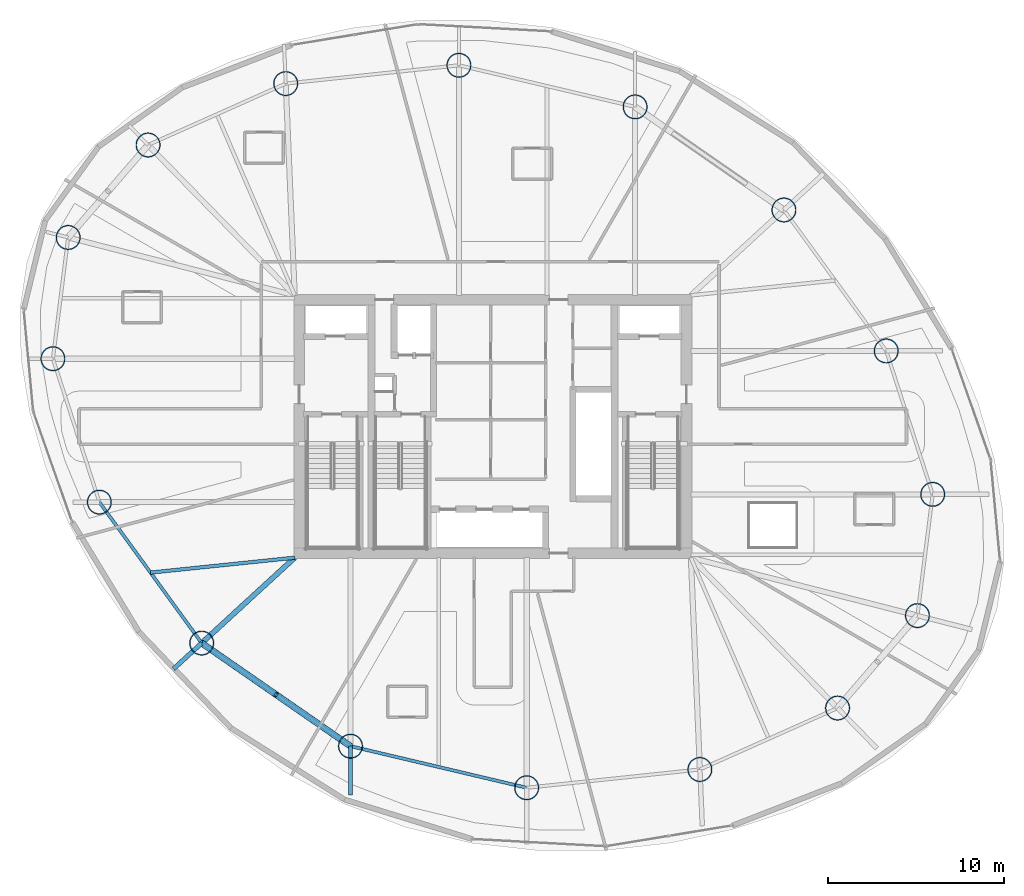
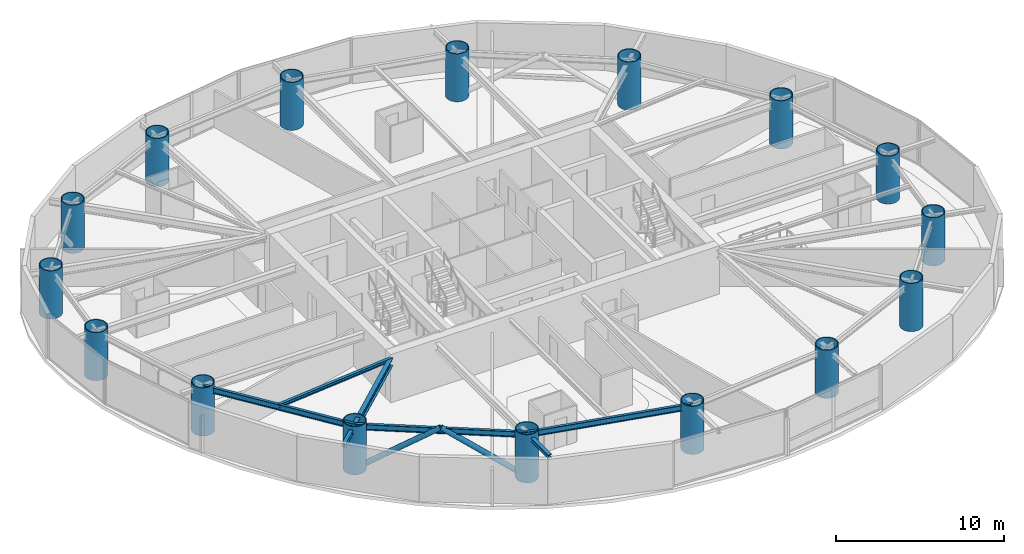
# One storey, part 1 of 20: 16 columns, 7 beams, 2 members.
"""IFC4 building model written with IfcOpenShell, lengths in metres."""

from ifc_helpers import new_model, si_unit, direction, frame, origin, origin_2d, place, context, subcontext, project, spatial, hollow_circle, i_section, extrude, material, material_profile, profile_set, type_object, element, save


model = new_model("IFC4")

# Units and contexts
model_context = context("Model", 3, precision=1e-05, world=origin(), true_north=direction((0.0, 1.0)))
body_context = subcontext(model_context, "Body", "Model", "MODEL_VIEW")
ifc_project = project(units=[si_unit("LENGTHUNIT", "METRE"), si_unit("AREAUNIT", "SQUARE_METRE"), si_unit("VOLUMEUNIT", "CUBIC_METRE"), si_unit("PLANEANGLEUNIT", "RADIAN"), si_unit("MASSUNIT", "GRAM", prefix="KILO")], contexts=[model_context])

# Site, building, storey
site_placement = place(None, origin())
site = spatial("IfcSite", under=ifc_project, at=site_placement, CompositionType="ELEMENT")
building_placement = place(site_placement, origin())
building = spatial("IfcBuilding", under=site, at=building_placement, Name="Bramvorn Convention Spire", CompositionType="ELEMENT")
storey_placement = place(building_placement, frame((0.0, 0.0, 130.800048828125)))
storey = spatial("IfcBuildingStorey", under=building, at=storey_placement, Name="L32", CompositionType="ELEMENT", Elevation=130.800048828125)

# Columns
ifc_material = material(Name="Steel CSA G40.21 Grade 350 (350W)", Category="steel")
ifc_material_profile_1 = material_profile(ifc_material, hollow_circle(Radius=0.699951171875, WallThickness=0.054931640625, at=origin_2d()))
ifc_profile_set_1 = profile_set([ifc_material_profile_1], Name="Steel CSA G40.21 Grade 350 (350W) - CFT1400X55")
column_type = type_object("IfcColumnType", Name="COL-CFT1400X55", PredefinedType="COLUMN", material=ifc_profile_set_1)
for number, where, z_axis, x_axis, name in (
    (1, (62.11767578125, 15.26220703125, 0.0), (0.0, 0.0, 1.0), (1.0, 0.0, 0.0), "L32 composite CFT mega-column MC01"),
    (2, (62.983642578125, 22.148193359375, 0.0), (0.0, 0.0, 1.0), (1.0, 0.0, 0.0), "L32 composite CFT mega-column MC02"),
    (3, (60.345703125, 30.293212890625, 0.0), (0.0, 0.0, 1.0), (1.0, 0.0, 0.0), "L32 composite CFT mega-column MC03"),
    (4, (54.534912109375, 38.299072265625, 0.0), (0.0, 0.0, 1.0), (1.0, 0.0, 0.0), "L32 composite CFT mega-column MC04"),
    (5, (46.082763671875, 44.154052734375, 0.0), (0.0, 0.0, 1.0), (1.0, 0.0, 0.0), "L32 composite CFT mega-column MC05"),
    (6, (36.075927734375, 46.517333984375, 0.0), (0.0, 0.0, 1.0), (1.0, 0.0, 0.0), "L32 composite CFT mega-column MC06"),
    (7, (26.23828125, 45.478759765625, 0.0), (0.0, 0.0, 1.0), (1.0, 0.0, 0.0), "L32 composite CFT mega-column MC07"),
    (8, (18.420166015625, 41.9892578125, 0.0), (0.0, 0.0, 1.0), (1.0, 0.0, 0.0), "L32 composite CFT mega-column MC08"),
    (9, (13.88232421875, 36.73779296875, 0.0), (0.0, 0.0, 1.0), (1.0, 0.0, 0.0), "L32 composite CFT mega-column MC09"),
    (10, (13.016357421875, 29.851806640625, 0.0), (0.0, 0.0, 1.0), (1.0, 0.0, 0.0), "L32 composite CFT mega-column MC10"),
    (11, (15.654296875, 21.706787109375, 0.0), (0.0, 0.0, 1.0), (1.0, 0.0, 0.0), "L32 composite CFT mega-column MC11"),
    (12, (21.465087890625, 13.700927734375, 0.0), (0.0, 0.0, 1.0), (1.0, 0.0, 0.0), "L32 composite CFT mega-column MC12"),
    (13, (29.917236328125, 7.845947265625, 0.0), (0.0, 0.0, 1.0), (1.0, 0.0, 0.0), "L32 composite CFT mega-column MC13"),
    (14, (39.924072265625, 5.482666015625, 0.0), (0.0, 0.0, 1.0), (1.0, 0.0, 0.0), "L32 composite CFT mega-column MC14"),
    (15, (49.76171875, 6.521240234375, 0.0), (0.0, 0.0, 1.0), (1.0, 0.0, 0.0), "L32 composite CFT mega-column MC15"),
    (16, (57.579833984375, 10.0107421875, 0.0), (0.0, 0.0, 1.0), (1.0, 0.0, 0.0), "L32 composite CFT mega-column MC16"),
):
    element("IfcColumn", number, at=place(storey_placement, frame(where, z_axis=z_axis, x_axis=x_axis)), inside=storey, type_object=column_type, Name=name, PredefinedType="COLUMN", context=body_context, shape_type="SweptSolid", body=[
        extrude(hollow_circle(Radius=0.699951171875, WallThickness=0.054931640625, at=origin_2d()), origin(), (0.0, 0.0, 1.0), 3.5),
    ])

# Beams
ifc_material_profile_2 = material_profile(ifc_material, i_section(OverallWidth=0.201904296875, OverallDepth=0.2470703125, WebThickness=0.00732421875, FlangeThickness=0.010986328125, FilletRadius=0.011962890625, at=origin_2d()))
ifc_profile_set_2 = profile_set([ifc_material_profile_2], Name="Steel CSA G40.21 Grade 350 (350W) - W250X49")
beam_type_1 = type_object("IfcBeamType", Name="BM-W250X49", PredefinedType="JOIST", material=ifc_profile_set_2)
beam_1_placement = place(storey_placement, frame((26.75, 18.550048828125, 3.136474609375), z_axis=(-0.994705076194, -0.102770673804, 0.0), x_axis=(0.102770673804, -0.994705076194, 0.0)))
element("IfcBeam", 17, at=beam_1_placement, inside=storey, type_object=beam_type_1, Name="L32 composite floor joist 11", PredefinedType="JOIST", context=body_context, shape_type="SweptSolid", body=[
    extrude(i_section(OverallWidth=0.201904296875, OverallDepth=0.2470703125, WebThickness=0.00732421875, FlangeThickness=0.010986328125, FilletRadius=0.011962890625, at=origin_2d()), origin(), (0.0, 0.0, 1.0), 8.23388671875),
])
ifc_material_profile_3 = material_profile(ifc_material, i_section(OverallWidth=0.25390625, OverallDepth=0.2529296875, WebThickness=0.008544921875, FlangeThickness=0.01416015625, FilletRadius=0.011962890625, at=origin_2d()))
ifc_profile_set_3 = profile_set([ifc_material_profile_3], Name="Steel CSA G40.21 Grade 350 (350W) - W250X73")
beam_type_2 = type_object("IfcBeamType", Name="BM-W250X73", PredefinedType="BEAM", material=ifc_profile_set_3)
beam_2_placement = place(storey_placement, frame((21.465087890625, 13.700927734375, 3.1083984375), z_axis=(-0.736855481741, -0.676050293269, 0.0), x_axis=(0.676050293269, -0.736855481741, 0.0)))
element("IfcBeam", 18, at=beam_2_placement, inside=storey, type_object=beam_type_2, Name="L32 slab-edge cantilever tip beam MC12", PredefinedType="BEAM", context=body_context, shape_type="SweptSolid", body=[
    extrude(i_section(OverallWidth=0.25390625, OverallDepth=0.2529296875, WebThickness=0.008544921875, FlangeThickness=0.01416015625, FilletRadius=0.011962890625, at=origin_2d()), origin(), (0.0, 0.0, 1.0), 2.172119140625),
])
beam_3_placement = place(storey_placement, frame((29.917236328125, 7.845947265625, 3.1083984375), z_axis=(0.0, -1.0, 0.0), x_axis=(1.0, 0.0, 0.0)))
element("IfcBeam", 19, at=beam_3_placement, inside=storey, type_object=beam_type_2, Name="L32 slab-edge cantilever tip beam MC13", PredefinedType="BEAM", context=body_context, shape_type="SweptSolid", body=[
    extrude(i_section(OverallWidth=0.25390625, OverallDepth=0.2529296875, WebThickness=0.008544921875, FlangeThickness=0.01416015625, FilletRadius=0.011962890625, at=origin_2d()), origin(), (0.0, 0.0, 1.0), 2.76171875),
])
ifc_material_profile_4 = material_profile(ifc_material, i_section(OverallWidth=0.180908203125, OverallDepth=0.4169921875, WebThickness=0.010986328125, FlangeThickness=0.018310546875, FilletRadius=0.01611328125, at=origin_2d()))
ifc_profile_set_4 = profile_set([ifc_material_profile_4], Name="Steel CSA G40.21 Grade 350 (350W) - W410X85")
beam_type_3 = type_object("IfcBeamType", Name="BM-W410X85", PredefinedType="JOIST", material=ifc_profile_set_4)
beam_4_placement = place(storey_placement, frame((15.654296875, 21.706787109375, 3.051513671875), z_axis=(0.587401024629, -0.809296012757, 0.0), x_axis=(0.809296012757, 0.587401024629, 0.0)))
element("IfcBeam", 20, at=beam_4_placement, inside=storey, type_object=beam_type_3, Name="L32 mega-column ring beam 11", PredefinedType="JOIST", context=body_context, shape_type="SweptSolid", body=[
    extrude(i_section(OverallWidth=0.180908203125, OverallDepth=0.4169921875, WebThickness=0.010986328125, FlangeThickness=0.018310546875, FilletRadius=0.01611328125, at=origin_2d()), origin(), (0.0, 0.0, 1.0), 9.892333984375),
])
beam_5_placement = place(storey_placement, frame((21.465087890625, 13.700927734375, 3.051513671875), z_axis=(0.822033166673, -0.569439613032, 0.0), x_axis=(0.569439613032, 0.822033166673, 0.0)))
element("IfcBeam", 21, at=beam_5_placement, inside=storey, type_object=beam_type_3, Name="L32 mega-column ring beam 12", PredefinedType="JOIST", context=body_context, shape_type="SweptSolid", body=[
    extrude(i_section(OverallWidth=0.180908203125, OverallDepth=0.4169921875, WebThickness=0.010986328125, FlangeThickness=0.018310546875, FilletRadius=0.01611328125, at=origin_2d()), origin(), (0.0, 0.0, 1.0), 10.281982421875),
])
beam_6_placement = place(storey_placement, frame((29.917236328125, 7.845947265625, 3.051513671875), z_axis=(0.97322750491, -0.229843911572, 0.0), x_axis=(0.229843911572, 0.97322750491, 0.0)))
element("IfcBeam", 22, at=beam_6_placement, inside=storey, type_object=beam_type_3, Name="L32 mega-column ring beam 13", PredefinedType="JOIST", context=body_context, shape_type="SweptSolid", body=[
    extrude(i_section(OverallWidth=0.180908203125, OverallDepth=0.4169921875, WebThickness=0.010986328125, FlangeThickness=0.018310546875, FilletRadius=0.01611328125, at=origin_2d()), origin(), (0.0, 0.0, 1.0), 10.2822265625),
])
ifc_material_profile_5 = material_profile(ifc_material, i_section(OverallWidth=0.2919921875, OverallDepth=0.551025390625, WebThickness=0.01513671875, FlangeThickness=0.0244140625, FilletRadius=0.01904296875, at=origin_2d()))
ifc_profile_set_5 = profile_set([ifc_material_profile_5], Name="Steel CSA G40.21 Grade 350 (350W) - W530X182")
beam_type_4 = type_object("IfcBeamType", Name="BM-W530X182", PredefinedType="BEAM", material=ifc_profile_set_5)
beam_7_placement = place(storey_placement, frame((26.75, 18.550048828125, 2.984375), z_axis=(-0.736833323746, -0.676074443399, 0.0), x_axis=(0.676074443399, -0.736833323746, 0.0)))
element("IfcBeam", 23, at=beam_7_placement, inside=storey, type_object=beam_type_4, Name="L32 radial floor girder MC12", PredefinedType="BEAM", context=body_context, shape_type="SweptSolid", body=[
    extrude(i_section(OverallWidth=0.2919921875, OverallDepth=0.551025390625, WebThickness=0.01513671875, FlangeThickness=0.0244140625, FilletRadius=0.01904296875, at=origin_2d()), origin(), (0.0, 0.0, 1.0), 7.17236328125),
])

# Members
ifc_material_profile_6 = material_profile(ifc_material, hollow_circle(Radius=0.177734375, WallThickness=0.015869140625, at=origin_2d()))
ifc_profile_set_6 = profile_set([ifc_material_profile_6], Name="Steel CSA G40.21 Grade 350 (350W) - CHS356X16")
member_type = type_object("IfcMemberType", Name="MBR-CHS356X16", PredefinedType="BRACE", material=ifc_profile_set_6)
for number, where, z_axis, x_axis, name in (
    (24, (21.465087890625, 13.700927734375, 0.0), (0.694222482493, -0.480902471841, 0.535525869944), (0.569439613032, 0.822033166673, 0.0), "L32 perimeter Gothic lancet brace 12A"),
    (25, (29.917236328125, 7.845947265625, 0.0), (-0.694222482493, 0.480902471841, 0.535525869944), (-0.569439613032, -0.822033166673, 0.0), "L32 perimeter Gothic lancet brace 12B"),
):
    element("IfcMember", number, at=place(storey_placement, frame(where, z_axis=z_axis, x_axis=x_axis)), inside=storey, type_object=member_type, Name=name, PredefinedType="BRACE", context=body_context, shape_type="SweptSolid", body=[
        extrude(hollow_circle(Radius=0.177734375, WallThickness=0.015869140625, at=origin_2d()), origin(), (0.0, 0.0, 1.0), 6.08740234375),
    ])

save(model, "model.ifc")
